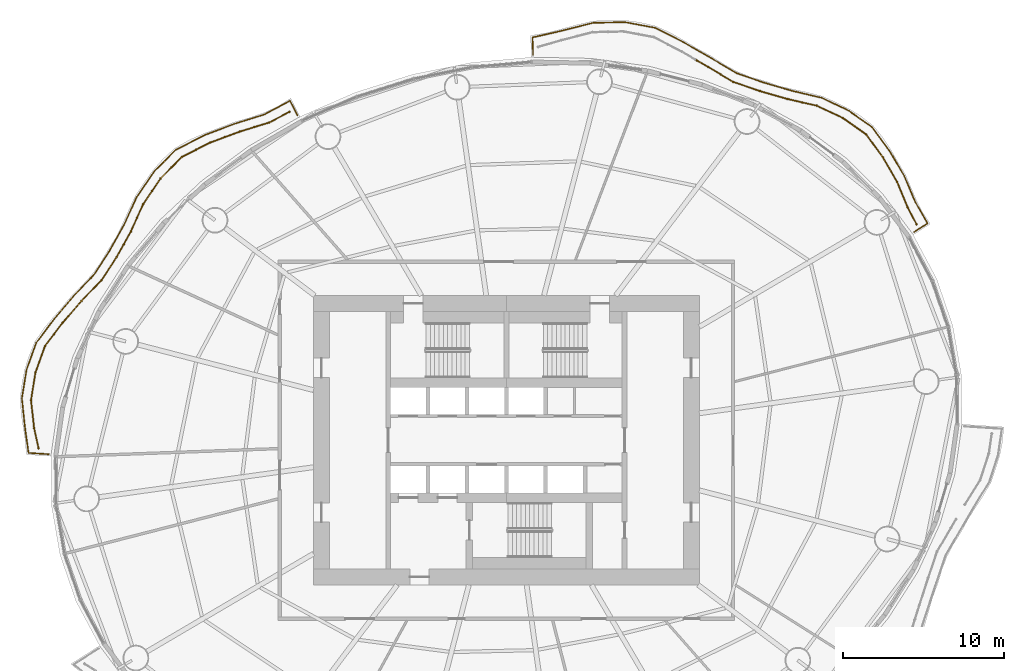
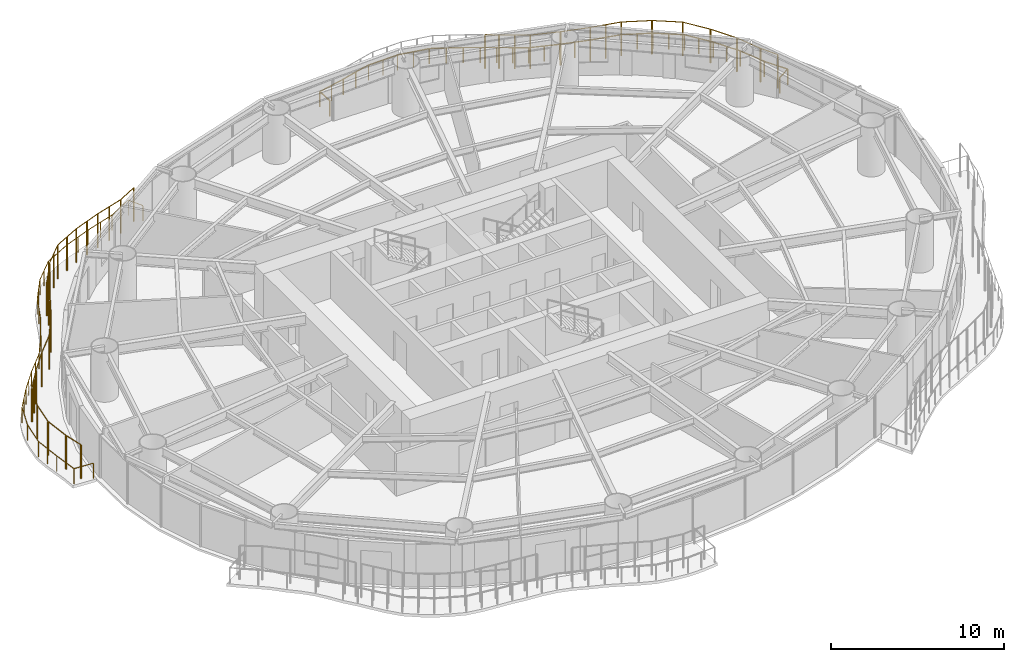
# One storey, part 16 of 17: 4 railings.
"""IFC4 building model written with IfcOpenShell, lengths in metres."""

from ifc_helpers import new_model, si_unit, direction, frame, origin, origin_2d, place, context, subcontext, project, spatial, circle, extrude, material, type_object, element, save


model = new_model("IFC4")

# Units and contexts
model_context = context("Model", 3, precision=1e-05, world=origin(), true_north=direction((0.0, 1.0)))
body_context = subcontext(model_context, "Body", "Model", "MODEL_VIEW")
ifc_project = project(units=[si_unit("LENGTHUNIT", "METRE"), si_unit("AREAUNIT", "SQUARE_METRE"), si_unit("VOLUMEUNIT", "CUBIC_METRE"), si_unit("PLANEANGLEUNIT", "RADIAN"), si_unit("MASSUNIT", "GRAM", prefix="KILO")], contexts=[model_context])

# Site, building, storey
site_placement = place(None, origin())
site = spatial("IfcSite", under=ifc_project, at=site_placement, CompositionType="ELEMENT")
building_placement = place(site_placement, origin())
building = spatial("IfcBuilding", under=site, at=building_placement, Name="Vermilion Reach Broadcast Tower", CompositionType="ELEMENT")
storey_placement = place(building_placement, frame((0.0, 0.0, 92.199951171875)))
storey = spatial("IfcBuildingStorey", under=building, at=storey_placement, Name="L20", CompositionType="ELEMENT", Elevation=92.199951171875)

# Railings
ifc_material_1 = material(Name="Terracotta baguette", Category="masonry")
railing_type_1 = type_object("IfcRailingType", Name="BAGUETTE SCREEN", PredefinedType="USERDEFINED", material=ifc_material_1)
railing_1_placement = place(storey_placement, frame((19.505859375, 13.432861328125, 0.0)))
element("IfcRailing", 1, at=railing_1_placement, inside=storey, type_object=railing_type_1, Name="Baguette screen L20 group 1 part 1", ObjectType="BAGUETTE SCREEN", PredefinedType="USERDEFINED", context=body_context, shape_type="SweptSolid", body=[
    extrude(circle(Radius=0.030029296875, at=origin_2d()), frame((0.0, 0.0, 2.369873046875), z_axis=(-0.463891327787, 0.885892113073, 0.0), x_axis=(-0.885892113073, -0.463891327787, 0.0)), (0.0, 0.0, 1.0), 1.18310546875),
    extrude(circle(Radius=0.030029296875, at=origin_2d()), frame((-0.548828125, 1.048095703125, 2.369873046875), z_axis=(-0.384190833922, 0.923253704639, 0.0), x_axis=(-0.923253704639, -0.384190833922, 0.0)), (0.0, 0.0, 1.0), 1.715087890625),
    extrude(circle(Radius=0.030029296875, at=origin_2d()), frame((-1.207763671875, 2.631591796875, 2.369873046875), z_axis=(-0.500811855752, 0.86555617099, 0.0), x_axis=(-0.86555617099, -0.500811855752, 0.0)), (0.0, 0.0, 1.0), 1.75830078125),
    extrude(circle(Radius=0.030029296875, at=origin_2d()), frame((-2.08837890625, 4.153564453125, 2.369873046875), z_axis=(-0.58865578174, 0.80838380156, 0.0), x_axis=(-0.80838380156, -0.58865578174, 0.0)), (0.0, 0.0, 1.0), 1.768798828125),
    extrude(circle(Radius=0.030029296875, at=origin_2d()), frame((-3.129638671875, 5.58349609375, 2.369873046875), z_axis=(-0.817164841388, 0.576404044051, 0.0), x_axis=(-0.576404044051, -0.817164841388, 0.0)), (0.0, 0.0, 1.0), 1.78564453125),
    extrude(circle(Radius=0.030029296875, at=origin_2d()), frame((-4.5888671875, 6.61279296875, 2.369873046875), z_axis=(-0.905273410508, 0.424829438984, 0.0), x_axis=(-0.424829438984, -0.905273410508, 0.0)), (0.0, 0.0, 1.0), 1.78662109375),
    extrude(circle(Radius=0.030029296875, at=origin_2d()), frame((-6.206298828125, 7.371826171875, 2.369873046875), z_axis=(-0.974677090345, 0.223617015358, 0.0), x_axis=(-0.223617015358, -0.974677090345, 0.0)), (0.0, 0.0, 1.0), 1.865966796875),
    extrude(circle(Radius=0.030029296875, at=origin_2d()), frame((-8.02490234375, 7.7890625, 2.369873046875), z_axis=(-0.961196496583, 0.27586463158, 0.0), x_axis=(-0.27586463158, -0.961196496583, 0.0)), (0.0, 0.0, 1.0), 1.776123046875),
    extrude(circle(Radius=0.030029296875, at=origin_2d()), frame((-9.732177734375, 8.279052734375, 2.369873046875), z_axis=(-0.94545027557, 0.325766444595, 0.0), x_axis=(-0.325766444595, -0.94545027557, 0.0)), (0.0, 0.0, 1.0), 1.7783203125),
    extrude(circle(Radius=0.030029296875, at=origin_2d()), frame((-11.41357421875, 8.8583984375, 2.369873046875), z_axis=(-0.857919971547, 0.513783341907, 0.0), x_axis=(-0.513783341907, -0.857919971547, 0.0)), (0.0, 0.0, 1.0), 1.814697265625),
    extrude(circle(Radius=0.030029296875, at=origin_2d()), frame((-12.970458984375, 9.790771484375, 2.369873046875), z_axis=(-0.864780522527, 0.50215002525, 0.0), x_axis=(-0.50215002525, -0.864780522527, 0.0)), (0.0, 0.0, 1.0), 0.81201171875),
    extrude(circle(Radius=0.050048828125, at=origin_2d()), origin(), (0.0, 0.0, 1.0), 2.33984375),
    extrude(circle(Radius=0.050048828125, at=origin_2d()), frame((-0.548828125, 1.048095703125, 0.0)), (0.0, 0.0, 1.0), 2.33984375),
    extrude(circle(Radius=0.050048828125, at=origin_2d()), frame((-1.207763671875, 2.631591796875, 0.0)), (0.0, 0.0, 1.0), 2.33984375),
    extrude(circle(Radius=0.050048828125, at=origin_2d()), frame((-2.08837890625, 4.153564453125, 0.0)), (0.0, 0.0, 1.0), 2.33984375),
    extrude(circle(Radius=0.050048828125, at=origin_2d()), frame((-3.129638671875, 5.58349609375, 0.0)), (0.0, 0.0, 1.0), 2.33984375),
    extrude(circle(Radius=0.050048828125, at=origin_2d()), frame((-4.5888671875, 6.61279296875, 0.0)), (0.0, 0.0, 1.0), 2.33984375),
    extrude(circle(Radius=0.050048828125, at=origin_2d()), frame((-6.206298828125, 7.371826171875, 0.0)), (0.0, 0.0, 1.0), 2.33984375),
    extrude(circle(Radius=0.050048828125, at=origin_2d()), frame((-7.11572265625, 7.58056640625, 0.0)), (0.0, 0.0, 1.0), 2.33984375),
    extrude(circle(Radius=0.050048828125, at=origin_2d()), frame((-8.02490234375, 7.7890625, 0.0)), (0.0, 0.0, 1.0), 2.33984375),
    extrude(circle(Radius=0.050048828125, at=origin_2d()), frame((-9.732177734375, 8.279052734375, 0.0)), (0.0, 0.0, 1.0), 2.33984375),
    extrude(circle(Radius=0.050048828125, at=origin_2d()), frame((-11.41357421875, 8.8583984375, 0.0)), (0.0, 0.0, 1.0), 2.33984375),
    extrude(circle(Radius=0.050048828125, at=origin_2d()), frame((-12.19189453125, 9.32470703125, 0.0)), (0.0, 0.0, 1.0), 2.33984375),
    extrude(circle(Radius=0.050048828125, at=origin_2d()), frame((-12.970458984375, 9.790771484375, 0.0)), (0.0, 0.0, 1.0), 2.33984375),
    extrude(circle(Radius=0.050048828125, at=origin_2d()), frame((-13.672607421875, 10.198486328125, 0.0)), (0.0, 0.0, 1.0), 2.33984375),
])
railing_2_placement = place(storey_placement, frame((-19.48193359375, 20.427978515625, 0.0)))
element("IfcRailing", 2, at=railing_2_placement, inside=storey, type_object=railing_type_1, Name="Baguette screen L20 group 2", ObjectType="BAGUETTE SCREEN", PredefinedType="USERDEFINED", context=body_context, shape_type="SweptSolid", body=[
    extrude(circle(Radius=0.030029296875, at=origin_2d()), frame((0.0, 0.0, 2.369873046875), z_axis=(-0.884632034423, -0.466289785082, 0.0), x_axis=(0.466289785082, -0.884632034423, 0.0)), (0.0, 0.0, 1.0), 1.42578125),
    extrude(circle(Radius=0.030029296875, at=origin_2d()), frame((-1.26123046875, -0.664794921875, 2.369873046875), z_axis=(-0.955456534382, -0.295131853425, 0.0), x_axis=(0.295131853425, -0.955456534382, 0.0)), (0.0, 0.0, 1.0), 1.951416015625),
    extrude(circle(Radius=0.030029296875, at=origin_2d()), frame((-3.125732421875, -1.24072265625, 2.369873046875), z_axis=(-0.936663474029, -0.350230690289, 0.0), x_axis=(0.350230690289, -0.936663474029, 0.0)), (0.0, 0.0, 1.0), 1.9482421875),
    extrude(circle(Radius=0.030029296875, at=origin_2d()), frame((-4.95068359375, -1.923095703125, 2.369873046875), z_axis=(-0.892822238341, -0.450409203641, 0.0), x_axis=(0.450409203641, -0.892822238341, 0.0)), (0.0, 0.0, 1.0), 1.9541015625),
    extrude(circle(Radius=0.030029296875, at=origin_2d()), frame((-6.6953125, -2.80322265625, 2.369873046875), z_axis=(-0.703483318229, -0.710711770673, 0.0), x_axis=(0.710711770673, -0.703483318229, 0.0)), (0.0, 0.0, 1.0), 1.891357421875),
    extrude(circle(Radius=0.030029296875, at=origin_2d()), frame((-8.02587890625, -4.1474609375, 2.369873046875), z_axis=(-0.563570654204, -0.826067865081, 0.0), x_axis=(0.826067865081, -0.563570654204, 0.0)), (0.0, 0.0, 1.0), 1.911376953125),
    extrude(circle(Radius=0.030029296875, at=origin_2d()), frame((-9.10302734375, -5.726318359375, 2.369873046875), z_axis=(-0.408419719158, -0.912794244615, 0.0), x_axis=(0.912794244615, -0.408419719158, 0.0)), (0.0, 0.0, 1.0), 1.8955078125),
    extrude(circle(Radius=0.030029296875, at=origin_2d()), frame((-9.877197265625, -7.45654296875, 2.369873046875), z_axis=(-0.487915338715, -0.872890956676, 0.0), x_axis=(0.872890956676, -0.487915338715, 0.0)), (0.0, 0.0, 1.0), 1.804931640625),
    extrude(circle(Radius=0.030029296875, at=origin_2d()), frame((-10.7578125, -9.031982421875, 2.369873046875), z_axis=(-0.547055409913, -0.837096397367, 0.0), x_axis=(0.837096397367, -0.547055409913, 0.0)), (0.0, 0.0, 1.0), 1.729736328125),
    extrude(circle(Radius=0.030029296875, at=origin_2d()), frame((-11.7041015625, -10.47998046875, 2.369873046875), z_axis=(-0.694745166597, -0.719255972161, 0.0), x_axis=(0.719255972161, -0.694745166597, 0.0)), (0.0, 0.0, 1.0), 1.79296875),
    extrude(circle(Radius=0.030029296875, at=origin_2d()), frame((-12.94970703125, -11.76953125, 2.369873046875), z_axis=(-0.652842068148, -0.757494048858, 0.0), x_axis=(0.757494048858, -0.652842068148, 0.0)), (0.0, 0.0, 1.0), 1.7822265625),
    extrude(circle(Radius=0.030029296875, at=origin_2d()), frame((-14.11328125, -13.11962890625, 2.369873046875), z_axis=(-0.604811516192, -0.796368651996, 0.0), x_axis=(0.796368651996, -0.604811516192, 0.0)), (0.0, 0.0, 1.0), 1.822509765625),
    extrude(circle(Radius=0.030029296875, at=origin_2d()), frame((-15.215576171875, -14.571044921875, 2.369873046875), z_axis=(-0.338793889985, -0.940860616728, 0.0), x_axis=(0.940860616728, -0.338793889985, 0.0)), (0.0, 0.0, 1.0), 1.742431640625),
    extrude(circle(Radius=0.030029296875, at=origin_2d()), frame((-15.805908203125, -16.21044921875, 2.369873046875), z_axis=(-0.159512998243, -0.987195828289, 0.0), x_axis=(0.987195828289, -0.159512998243, 0.0)), (0.0, 0.0, 1.0), 1.7509765625),
    extrude(circle(Radius=0.030029296875, at=origin_2d()), frame((-16.085205078125, -17.93896484375, 2.369873046875), z_axis=(0.111208642323, -0.993797080833, 0.0), x_axis=(0.993797080833, 0.111208642323, 0.0)), (0.0, 0.0, 1.0), 1.758544921875),
    extrude(circle(Radius=0.030029296875, at=origin_2d()), frame((-15.8896484375, -19.6865234375, 2.369873046875), z_axis=(0.216808348791, -0.976214187509, 0.0), x_axis=(0.976214187509, 0.216808348791, 0.0)), (0.0, 0.0, 1.0), 1.270263671875),
    extrude(circle(Radius=0.050048828125, at=origin_2d()), origin(), (0.0, 0.0, 1.0), 2.33984375),
    extrude(circle(Radius=0.050048828125, at=origin_2d()), frame((-1.26123046875, -0.664794921875, 0.0)), (0.0, 0.0, 1.0), 2.33984375),
    extrude(circle(Radius=0.050048828125, at=origin_2d()), frame((-2.193359375, -0.95263671875, 0.0)), (0.0, 0.0, 1.0), 2.33984375),
    extrude(circle(Radius=0.050048828125, at=origin_2d()), frame((-3.125732421875, -1.24072265625, 0.0)), (0.0, 0.0, 1.0), 2.33984375),
    extrude(circle(Radius=0.050048828125, at=origin_2d()), frame((-4.0380859375, -1.58203125, 0.0)), (0.0, 0.0, 1.0), 2.33984375),
    extrude(circle(Radius=0.050048828125, at=origin_2d()), frame((-4.95068359375, -1.923095703125, 0.0)), (0.0, 0.0, 1.0), 2.33984375),
    extrude(circle(Radius=0.050048828125, at=origin_2d()), frame((-5.822998046875, -2.36328125, 0.0)), (0.0, 0.0, 1.0), 2.33984375),
    extrude(circle(Radius=0.050048828125, at=origin_2d()), frame((-6.6953125, -2.80322265625, 0.0)), (0.0, 0.0, 1.0), 2.33984375),
    extrude(circle(Radius=0.050048828125, at=origin_2d()), frame((-7.360595703125, -3.475341796875, 0.0)), (0.0, 0.0, 1.0), 2.33984375),
    extrude(circle(Radius=0.050048828125, at=origin_2d()), frame((-8.02587890625, -4.1474609375, 0.0)), (0.0, 0.0, 1.0), 2.33984375),
    extrude(circle(Radius=0.050048828125, at=origin_2d()), frame((-8.564453125, -4.93701171875, 0.0)), (0.0, 0.0, 1.0), 2.33984375),
    extrude(circle(Radius=0.050048828125, at=origin_2d()), frame((-9.10302734375, -5.726318359375, 0.0)), (0.0, 0.0, 1.0), 2.33984375),
    extrude(circle(Radius=0.050048828125, at=origin_2d()), frame((-9.490234375, -6.59130859375, 0.0)), (0.0, 0.0, 1.0), 2.33984375),
    extrude(circle(Radius=0.050048828125, at=origin_2d()), frame((-9.877197265625, -7.45654296875, 0.0)), (0.0, 0.0, 1.0), 2.33984375),
    extrude(circle(Radius=0.050048828125, at=origin_2d()), frame((-10.3173828125, -8.244140625, 0.0)), (0.0, 0.0, 1.0), 2.33984375),
    extrude(circle(Radius=0.050048828125, at=origin_2d()), frame((-10.7578125, -9.031982421875, 0.0)), (0.0, 0.0, 1.0), 2.33984375),
    extrude(circle(Radius=0.050048828125, at=origin_2d()), frame((-11.7041015625, -10.47998046875, 0.0)), (0.0, 0.0, 1.0), 2.33984375),
    extrude(circle(Radius=0.050048828125, at=origin_2d()), frame((-12.94970703125, -11.76953125, 0.0)), (0.0, 0.0, 1.0), 2.33984375),
    extrude(circle(Radius=0.050048828125, at=origin_2d()), frame((-14.11328125, -13.11962890625, 0.0)), (0.0, 0.0, 1.0), 2.33984375),
    extrude(circle(Radius=0.050048828125, at=origin_2d()), frame((-14.66455078125, -13.84521484375, 0.0)), (0.0, 0.0, 1.0), 2.33984375),
    extrude(circle(Radius=0.050048828125, at=origin_2d()), frame((-15.215576171875, -14.571044921875, 0.0)), (0.0, 0.0, 1.0), 2.33984375),
    extrude(circle(Radius=0.050048828125, at=origin_2d()), frame((-15.805908203125, -16.21044921875, 0.0)), (0.0, 0.0, 1.0), 2.33984375),
    extrude(circle(Radius=0.050048828125, at=origin_2d()), frame((-16.085205078125, -17.93896484375, 0.0)), (0.0, 0.0, 1.0), 2.33984375),
    extrude(circle(Radius=0.050048828125, at=origin_2d()), frame((-15.8896484375, -19.6865234375, 0.0)), (0.0, 0.0, 1.0), 2.33984375),
    extrude(circle(Radius=0.050048828125, at=origin_2d()), frame((-15.6142578125, -20.926513671875, 0.0)), (0.0, 0.0, 1.0), 2.33984375),
])
ifc_material_2 = material(Name="Stainless steel 316 balustrade", Category="steel")
railing_type_2 = type_object("IfcRailingType", Name="Balcony guard 1100", PredefinedType="BALUSTRADE", material=ifc_material_2)
railing_3_placement = place(storey_placement, frame((19.361572265625, 12.951171875, 0.0)))
element("IfcRailing", 3, at=railing_3_placement, inside=storey, type_object=railing_type_2, Name="Balcony guard L20 group 1", PredefinedType="BALUSTRADE", context=body_context, shape_type="SweptSolid", body=[
    extrude(circle(Radius=0.02490234375, at=origin_2d()), frame((0.0, 0.0, 1.0751953125), z_axis=(0.843671684064, 0.536859469049, 0.0), x_axis=(-0.536859469049, 0.843671684064, 0.0)), (0.0, 0.0, 1.0), 0.98583984375),
    extrude(circle(Radius=0.02490234375, at=origin_2d()), frame((0.831787109375, 0.529296875, 1.0751953125), z_axis=(-0.496950621706, 0.867778819508, 0.0), x_axis=(-0.867778819508, -0.496950621706, 0.0)), (0.0, 0.0, 1.0), 1.554443359375),
    extrude(circle(Radius=0.02490234375, at=origin_2d()), frame((0.059326171875, 1.878173828125, 1.0751953125), z_axis=(-0.390578403019, 0.920569666617, 0.0), x_axis=(-0.920569666617, -0.390578403019, 0.0)), (0.0, 0.0, 1.0), 1.75634765625),
    extrude(circle(Radius=0.02490234375, at=origin_2d()), frame((-0.626708984375, 3.4951171875, 1.0751953125), z_axis=(-0.505674257061, 0.862724490058, 0.0), x_axis=(-0.862724490058, -0.505674257061, 0.0)), (0.0, 0.0, 1.0), 1.80029296875),
    extrude(circle(Radius=0.02490234375, at=origin_2d()), frame((-1.537109375, 5.04833984375, 1.0751953125), z_axis=(-0.59235181119, 0.805679422463, 0.0), x_axis=(-0.805679422463, -0.59235181119, 0.0)), (0.0, 0.0, 1.0), 1.809326171875),
    extrude(circle(Radius=0.02490234375, at=origin_2d()), frame((-2.60888671875, 6.506103515625, 1.0751953125), z_axis=(-0.816352634083, 0.577553786955, 0.0), x_axis=(-0.577553786955, -0.816352634083, 0.0)), (0.0, 0.0, 1.0), 1.826904296875),
    extrude(circle(Radius=0.02490234375, at=origin_2d()), frame((-4.100341796875, 7.561279296875, 1.0751953125), z_axis=(-0.903773241174, 0.428011598602, 0.0), x_axis=(-0.428011598602, -0.903773241174, 0.0)), (0.0, 0.0, 1.0), 1.8251953125),
    extrude(circle(Radius=0.02490234375, at=origin_2d()), frame((-5.75, 8.342529296875, 1.0751953125), z_axis=(-0.973257128736, 0.229718439321, 0.0), x_axis=(-0.229718439321, -0.973257128736, 0.0)), (0.0, 0.0, 1.0), 1.903564453125),
    extrude(circle(Radius=0.02490234375, at=origin_2d()), frame((-7.6025390625, 8.77978515625, 1.0751953125), z_axis=(-0.960144701485, 0.279503402859, 0.0), x_axis=(-0.279503402859, -0.960144701485, 0.0)), (0.0, 0.0, 1.0), 1.8125),
    extrude(circle(Radius=0.02490234375, at=origin_2d()), frame((-9.3427734375, 9.286376953125, 1.0751953125), z_axis=(-0.944976481521, 0.327138272558, 0.0), x_axis=(-0.327138272558, -0.944976481521, 0.0)), (0.0, 0.0, 1.0), 1.815673828125),
    extrude(circle(Radius=0.02490234375, at=origin_2d()), frame((-11.05859375, 9.88037109375, 1.0751953125), z_axis=(-0.859836635236, 0.510569251626, 0.0), x_axis=(-0.510569251626, -0.859836635236, 0.0)), (0.0, 0.0, 1.0), 1.849609375),
    extrude(circle(Radius=0.02490234375, at=origin_2d()), frame((-12.64892578125, 10.82470703125, 1.0751953125), z_axis=(-0.867069636518, 0.498186958308, 0.0), x_axis=(-0.498186958308, -0.867069636518, 0.0)), (0.0, 0.0, 1.0), 1.937255859375),
    extrude(circle(Radius=0.02490234375, at=origin_2d()), frame((-14.32861328125, 11.789794921875, 1.0751953125), z_axis=(-0.889460724307, 0.457011619016, 0.0), x_axis=(-0.457011619016, -0.889460724307, 0.0)), (0.0, 0.0, 1.0), 1.968017578125),
    extrude(circle(Radius=0.02490234375, at=origin_2d()), frame((-16.0791015625, 12.689208984375, 1.0751953125), z_axis=(-0.982793028744, 0.184710212636, 0.0), x_axis=(-0.184710212636, -0.982793028744, 0.0)), (0.0, 0.0, 1.0), 1.95751953125),
    extrude(circle(Radius=0.02490234375, at=origin_2d()), frame((-18.0029296875, 13.05078125, 1.0751953125), z_axis=(-0.999746313, -0.022523535307, 0.0), x_axis=(0.022523535307, -0.999746313, 0.0)), (0.0, 0.0, 1.0), 1.9619140625),
    extrude(circle(Radius=0.02490234375, at=origin_2d()), frame((-19.96435546875, 13.006591796875, 1.0751953125), z_axis=(-0.969477246271, -0.24518129815, 0.0), x_axis=(0.24518129815, -0.969477246271, 0.0)), (0.0, 0.0, 1.0), 2.040283203125),
    extrude(circle(Radius=0.02490234375, at=origin_2d()), frame((-21.9423828125, 12.50634765625, 1.0751953125), z_axis=(-0.975341804954, -0.220699713433, 0.0), x_axis=(0.220699713433, -0.975341804954, 0.0)), (0.0, 0.0, 1.0), 1.843994140625),
    extrude(circle(Radius=0.02490234375, at=origin_2d()), frame((-23.740966796875, 12.099365234375, 1.0751953125), z_axis=(0.034749828521, -0.999396042326, 0.0), x_axis=(0.999396042326, 0.034749828521, 0.0)), (0.0, 0.0, 1.0), 1.08203125),
    extrude(circle(Radius=0.02490234375, at=origin_2d()), origin(), (0.0, 0.0, 1.0), 1.050048828125),
    extrude(circle(Radius=0.02490234375, at=origin_2d()), frame((0.831787109375, 0.529296875, 0.0)), (0.0, 0.0, 1.0), 1.050048828125),
    extrude(circle(Radius=0.02490234375, at=origin_2d()), frame((0.059326171875, 1.878173828125, 0.0)), (0.0, 0.0, 1.0), 1.050048828125),
    extrude(circle(Radius=0.02490234375, at=origin_2d()), frame((-0.626708984375, 3.4951171875, 0.0)), (0.0, 0.0, 1.0), 1.050048828125),
    extrude(circle(Radius=0.02490234375, at=origin_2d()), frame((-1.08203125, 4.271728515625, 0.0)), (0.0, 0.0, 1.0), 1.050048828125),
    extrude(circle(Radius=0.02490234375, at=origin_2d()), frame((-1.537109375, 5.04833984375, 0.0)), (0.0, 0.0, 1.0), 1.050048828125),
    extrude(circle(Radius=0.02490234375, at=origin_2d()), frame((-2.072998046875, 5.77734375, 0.0)), (0.0, 0.0, 1.0), 1.050048828125),
    extrude(circle(Radius=0.02490234375, at=origin_2d()), frame((-2.60888671875, 6.506103515625, 0.0)), (0.0, 0.0, 1.0), 1.050048828125),
    extrude(circle(Radius=0.02490234375, at=origin_2d()), frame((-3.3544921875, 7.03369140625, 0.0)), (0.0, 0.0, 1.0), 1.050048828125),
    extrude(circle(Radius=0.02490234375, at=origin_2d()), frame((-4.100341796875, 7.561279296875, 0.0)), (0.0, 0.0, 1.0), 1.050048828125),
    extrude(circle(Radius=0.02490234375, at=origin_2d()), frame((-4.92529296875, 7.951904296875, 0.0)), (0.0, 0.0, 1.0), 1.050048828125),
    extrude(circle(Radius=0.02490234375, at=origin_2d()), frame((-5.75, 8.342529296875, 0.0)), (0.0, 0.0, 1.0), 1.050048828125),
    extrude(circle(Radius=0.02490234375, at=origin_2d()), frame((-6.67626953125, 8.56103515625, 0.0)), (0.0, 0.0, 1.0), 1.050048828125),
    extrude(circle(Radius=0.02490234375, at=origin_2d()), frame((-7.6025390625, 8.77978515625, 0.0)), (0.0, 0.0, 1.0), 1.050048828125),
    extrude(circle(Radius=0.02490234375, at=origin_2d()), frame((-8.47265625, 9.033203125, 0.0)), (0.0, 0.0, 1.0), 1.050048828125),
    extrude(circle(Radius=0.02490234375, at=origin_2d()), frame((-9.3427734375, 9.286376953125, 0.0)), (0.0, 0.0, 1.0), 1.050048828125),
    extrude(circle(Radius=0.02490234375, at=origin_2d()), frame((-10.20068359375, 9.58349609375, 0.0)), (0.0, 0.0, 1.0), 1.050048828125),
    extrude(circle(Radius=0.02490234375, at=origin_2d()), frame((-11.05859375, 9.88037109375, 0.0)), (0.0, 0.0, 1.0), 1.050048828125),
    extrude(circle(Radius=0.02490234375, at=origin_2d()), frame((-11.853759765625, 10.3525390625, 0.0)), (0.0, 0.0, 1.0), 1.050048828125),
    extrude(circle(Radius=0.02490234375, at=origin_2d()), frame((-12.64892578125, 10.82470703125, 0.0)), (0.0, 0.0, 1.0), 1.050048828125),
    extrude(circle(Radius=0.02490234375, at=origin_2d()), frame((-13.48876953125, 11.30712890625, 0.0)), (0.0, 0.0, 1.0), 1.050048828125),
    extrude(circle(Radius=0.02490234375, at=origin_2d()), frame((-14.32861328125, 11.789794921875, 0.0)), (0.0, 0.0, 1.0), 1.050048828125),
    extrude(circle(Radius=0.02490234375, at=origin_2d()), frame((-15.203857421875, 12.239501953125, 0.0)), (0.0, 0.0, 1.0), 1.050048828125),
    extrude(circle(Radius=0.02490234375, at=origin_2d()), frame((-16.0791015625, 12.689208984375, 0.0)), (0.0, 0.0, 1.0), 1.050048828125),
    extrude(circle(Radius=0.02490234375, at=origin_2d()), frame((-17.041015625, 12.8701171875, 0.0)), (0.0, 0.0, 1.0), 1.050048828125),
    extrude(circle(Radius=0.02490234375, at=origin_2d()), frame((-18.0029296875, 13.05078125, 0.0)), (0.0, 0.0, 1.0), 1.050048828125),
    extrude(circle(Radius=0.02490234375, at=origin_2d()), frame((-18.983642578125, 13.02880859375, 0.0)), (0.0, 0.0, 1.0), 1.050048828125),
    extrude(circle(Radius=0.02490234375, at=origin_2d()), frame((-19.96435546875, 13.006591796875, 0.0)), (0.0, 0.0, 1.0), 1.050048828125),
    extrude(circle(Radius=0.02490234375, at=origin_2d()), frame((-20.953369140625, 12.75634765625, 0.0)), (0.0, 0.0, 1.0), 1.050048828125),
    extrude(circle(Radius=0.02490234375, at=origin_2d()), frame((-21.9423828125, 12.50634765625, 0.0)), (0.0, 0.0, 1.0), 1.050048828125),
    extrude(circle(Radius=0.02490234375, at=origin_2d()), frame((-22.841796875, 12.302734375, 0.0)), (0.0, 0.0, 1.0), 1.050048828125),
    extrude(circle(Radius=0.02490234375, at=origin_2d()), frame((-23.740966796875, 12.099365234375, 0.0)), (0.0, 0.0, 1.0), 1.050048828125),
    extrude(circle(Radius=0.02490234375, at=origin_2d()), frame((-23.703369140625, 11.01806640625, 0.0)), (0.0, 0.0, 1.0), 1.050048828125),
])
railing_4_placement = place(storey_placement, frame((-19.00048828125, 20.20556640625, 0.0)))
element("IfcRailing", 4, at=railing_4_placement, inside=storey, type_object=railing_type_2, Name="Balcony guard L20 group 2", PredefinedType="BALUSTRADE", context=body_context, shape_type="SweptSolid", body=[
    extrude(circle(Radius=0.02490234375, at=origin_2d()), frame((0.0, 0.0, 1.0751953125), z_axis=(-0.4508707659, 0.892589240612, 0.0), x_axis=(-0.892589240612, -0.4508707659, 0.0)), (0.0, 0.0, 1.0), 1.013671875),
    extrude(circle(Radius=0.02490234375, at=origin_2d()), frame((-0.45703125, 0.90478515625, 1.0751953125), z_axis=(-0.881333717259, -0.472494316181, 0.0), x_axis=(0.472494316181, -0.881333717259, 0.0)), (0.0, 0.0, 1.0), 1.787353515625),
    extrude(circle(Radius=0.02490234375, at=origin_2d()), frame((-2.0322265625, 0.060302734375, 1.0751953125), z_axis=(-0.954240896313, -0.299038980408, 0.0), x_axis=(0.299038980408, -0.954240896313, 0.0)), (0.0, 0.0, 1.0), 1.983154296875),
    extrude(circle(Radius=0.02490234375, at=origin_2d()), frame((-3.924560546875, -0.53271484375, 1.0751953125), z_axis=(-0.935204612604, -0.354107797943, 0.0), x_axis=(0.354107797943, -0.935204612604, 0.0)), (0.0, 0.0, 1.0), 1.980224609375),
    extrude(circle(Radius=0.02490234375, at=origin_2d()), frame((-5.7763671875, -1.23388671875, 1.0751953125), z_axis=(-0.891334646623, -0.453345947076, 0.0), x_axis=(0.453345947076, -0.891334646623, 0.0)), (0.0, 0.0, 1.0), 1.987060546875),
    extrude(circle(Radius=0.02490234375, at=origin_2d()), frame((-7.547607421875, -2.134765625, 1.0751953125), z_axis=(-0.7043753207, -0.709827730924, 0.0), x_axis=(0.709827730924, -0.7043753207, 0.0)), (0.0, 0.0, 1.0), 1.92529296875),
    extrude(circle(Radius=0.02490234375, at=origin_2d()), frame((-8.90380859375, -3.50146484375, 1.0751953125), z_axis=(-0.566369098726, -0.824151711767, 0.0), x_axis=(0.824151711767, -0.566369098726, 0.0)), (0.0, 0.0, 1.0), 1.9462890625),
    extrude(circle(Radius=0.02490234375, at=origin_2d()), frame((-10.006103515625, -5.10546875, 1.0751953125), z_axis=(-0.413335668526, -0.910578730876, 0.0), x_axis=(0.910578730876, -0.413335668526, 0.0)), (0.0, 0.0, 1.0), 1.92919921875),
    extrude(circle(Radius=0.02490234375, at=origin_2d()), frame((-10.803466796875, -6.862060546875, 1.0751953125), z_axis=(-0.490676513559, -0.871341815272, 0.0), x_axis=(0.871341815272, -0.490676513559, 0.0)), (0.0, 0.0, 1.0), 1.842041015625),
    extrude(circle(Radius=0.02490234375, at=origin_2d()), frame((-11.707275390625, -8.467041015625, 1.0751953125), z_axis=(-0.547472724014, -0.836823527669, 0.0), x_axis=(0.836823527669, -0.547472724014, 0.0)), (0.0, 0.0, 1.0), 1.766845703125),
    extrude(circle(Radius=0.02490234375, at=origin_2d()), frame((-12.674560546875, -9.945556640625, 1.0751953125), z_axis=(-0.691128785042, -0.722731625492, 0.0), x_axis=(0.722731625492, -0.691128785042, 0.0)), (0.0, 0.0, 1.0), 1.830810546875),
    extrude(circle(Radius=0.02490234375, at=origin_2d()), frame((-13.93994140625, -11.268798828125, 1.0751953125), z_axis=(-0.648823299802, -0.760939107705, 0.0), x_axis=(0.760939107705, -0.648823299802, 0.0)), (0.0, 0.0, 1.0), 1.820556640625),
    extrude(circle(Radius=0.02490234375, at=origin_2d()), frame((-15.12109375, -12.654052734375, 1.0751953125), z_axis=(-0.600587055738, -0.799559371454, 0.0), x_axis=(0.799559371454, -0.600587055738, 0.0)), (0.0, 0.0, 1.0), 1.862548828125),
    extrude(circle(Radius=0.02490234375, at=origin_2d()), frame((-16.23974609375, -14.143310546875, 1.0751953125), z_axis=(-0.338234714708, -0.94106178212, 0.0), x_axis=(0.94106178212, -0.338234714708, 0.0)), (0.0, 0.0, 1.0), 1.78369140625),
    extrude(circle(Radius=0.02490234375, at=origin_2d()), frame((-16.843017578125, -15.82177734375, 1.0751953125), z_axis=(-0.161662059992, -0.986846177659, 0.0), x_axis=(0.986846177659, -0.161662059992, 0.0)), (0.0, 0.0, 1.0), 1.794189453125),
    extrude(circle(Radius=0.02490234375, at=origin_2d()), frame((-17.133056640625, -17.59228515625, 1.0751953125), z_axis=(0.104296477133, -0.994546250738, 0.0), x_axis=(0.994546250738, 0.104296477133, 0.0)), (0.0, 0.0, 1.0), 1.800048828125),
    extrude(circle(Radius=0.02490234375, at=origin_2d()), frame((-16.9453125, -19.382568359375, 1.0751953125), z_axis=(0.137932394732, -0.990441646178, 0.0), x_axis=(0.990441646178, 0.137932394732, 0.0)), (0.0, 0.0, 1.0), 1.626708984375),
    extrude(circle(Radius=0.02490234375, at=origin_2d()), frame((-16.720947265625, -20.99365234375, 1.0751953125), z_axis=(0.997941739011, -0.064127104565, 0.0), x_axis=(0.064127104565, 0.997941739011, 0.0)), (0.0, 0.0, 1.0), 1.26025390625),
    extrude(circle(Radius=0.02490234375, at=origin_2d()), origin(), (0.0, 0.0, 1.0), 1.050048828125),
    extrude(circle(Radius=0.02490234375, at=origin_2d()), frame((-0.45703125, 0.90478515625, 0.0)), (0.0, 0.0, 1.0), 1.050048828125),
    extrude(circle(Radius=0.02490234375, at=origin_2d()), frame((-2.0322265625, 0.060302734375, 0.0)), (0.0, 0.0, 1.0), 1.050048828125),
    extrude(circle(Radius=0.02490234375, at=origin_2d()), frame((-2.978515625, -0.236328125, 0.0)), (0.0, 0.0, 1.0), 1.050048828125),
    extrude(circle(Radius=0.02490234375, at=origin_2d()), frame((-3.924560546875, -0.53271484375, 0.0)), (0.0, 0.0, 1.0), 1.050048828125),
    extrude(circle(Radius=0.02490234375, at=origin_2d()), frame((-4.8505859375, -0.88330078125, 0.0)), (0.0, 0.0, 1.0), 1.050048828125),
    extrude(circle(Radius=0.02490234375, at=origin_2d()), frame((-5.7763671875, -1.23388671875, 0.0)), (0.0, 0.0, 1.0), 1.050048828125),
    extrude(circle(Radius=0.02490234375, at=origin_2d()), frame((-6.662109375, -1.684326171875, 0.0)), (0.0, 0.0, 1.0), 1.050048828125),
    extrude(circle(Radius=0.02490234375, at=origin_2d()), frame((-7.547607421875, -2.134765625, 0.0)), (0.0, 0.0, 1.0), 1.050048828125),
    extrude(circle(Radius=0.02490234375, at=origin_2d()), frame((-8.2255859375, -2.818115234375, 0.0)), (0.0, 0.0, 1.0), 1.050048828125),
    extrude(circle(Radius=0.02490234375, at=origin_2d()), frame((-8.90380859375, -3.50146484375, 0.0)), (0.0, 0.0, 1.0), 1.050048828125),
    extrude(circle(Radius=0.02490234375, at=origin_2d()), frame((-9.455078125, -4.303466796875, 0.0)), (0.0, 0.0, 1.0), 1.050048828125),
    extrude(circle(Radius=0.02490234375, at=origin_2d()), frame((-10.006103515625, -5.10546875, 0.0)), (0.0, 0.0, 1.0), 1.050048828125),
    extrude(circle(Radius=0.02490234375, at=origin_2d()), frame((-10.40478515625, -5.98388671875, 0.0)), (0.0, 0.0, 1.0), 1.050048828125),
    extrude(circle(Radius=0.02490234375, at=origin_2d()), frame((-10.803466796875, -6.862060546875, 0.0)), (0.0, 0.0, 1.0), 1.050048828125),
    extrude(circle(Radius=0.02490234375, at=origin_2d()), frame((-11.25537109375, -7.66455078125, 0.0)), (0.0, 0.0, 1.0), 1.050048828125),
    extrude(circle(Radius=0.02490234375, at=origin_2d()), frame((-11.707275390625, -8.467041015625, 0.0)), (0.0, 0.0, 1.0), 1.050048828125),
    extrude(circle(Radius=0.02490234375, at=origin_2d()), frame((-12.674560546875, -9.945556640625, 0.0)), (0.0, 0.0, 1.0), 1.050048828125),
    extrude(circle(Radius=0.02490234375, at=origin_2d()), frame((-13.30712890625, -10.607177734375, 0.0)), (0.0, 0.0, 1.0), 1.050048828125),
    extrude(circle(Radius=0.02490234375, at=origin_2d()), frame((-13.93994140625, -11.268798828125, 0.0)), (0.0, 0.0, 1.0), 1.050048828125),
    extrude(circle(Radius=0.02490234375, at=origin_2d()), frame((-14.530517578125, -11.96142578125, 0.0)), (0.0, 0.0, 1.0), 1.050048828125),
    extrude(circle(Radius=0.02490234375, at=origin_2d()), frame((-15.12109375, -12.654052734375, 0.0)), (0.0, 0.0, 1.0), 1.050048828125),
    extrude(circle(Radius=0.02490234375, at=origin_2d()), frame((-15.680419921875, -13.398681640625, 0.0)), (0.0, 0.0, 1.0), 1.050048828125),
    extrude(circle(Radius=0.02490234375, at=origin_2d()), frame((-16.23974609375, -14.143310546875, 0.0)), (0.0, 0.0, 1.0), 1.050048828125),
    extrude(circle(Radius=0.02490234375, at=origin_2d()), frame((-16.843017578125, -15.82177734375, 0.0)), (0.0, 0.0, 1.0), 1.050048828125),
    extrude(circle(Radius=0.02490234375, at=origin_2d()), frame((-17.133056640625, -17.59228515625, 0.0)), (0.0, 0.0, 1.0), 1.050048828125),
    extrude(circle(Radius=0.02490234375, at=origin_2d()), frame((-17.0390625, -18.4873046875, 0.0)), (0.0, 0.0, 1.0), 1.050048828125),
    extrude(circle(Radius=0.02490234375, at=origin_2d()), frame((-16.9453125, -19.382568359375, 0.0)), (0.0, 0.0, 1.0), 1.050048828125),
    extrude(circle(Radius=0.02490234375, at=origin_2d()), frame((-16.720947265625, -20.99365234375, 0.0)), (0.0, 0.0, 1.0), 1.050048828125),
    extrude(circle(Radius=0.02490234375, at=origin_2d()), frame((-15.46337890625, -21.074462890625, 0.0)), (0.0, 0.0, 1.0), 1.050048828125),
])

save(model, "model.ifc")
